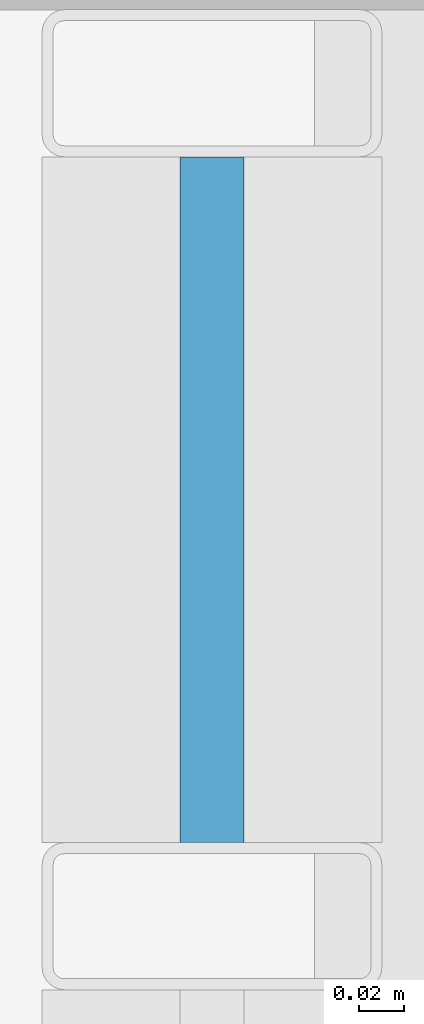
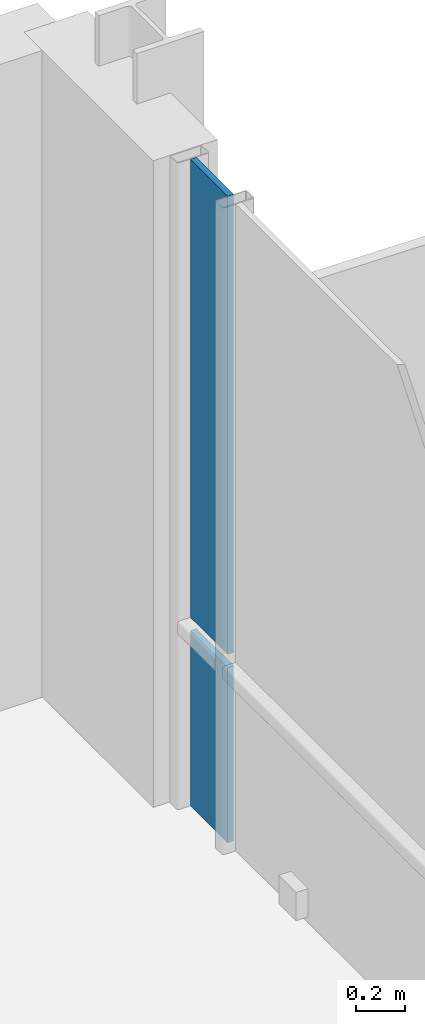
# One storey, part 7 of 12: 2 plates, 1 element without a shape of its own.
"""IFC4 building model written with IfcOpenShell, lengths in metres."""

from ifc_helpers import new_model, si_unit, direction, frame, origin, origin_2d, place, context, subcontext, project, spatial, rectangle, extrude, material, layer, layer_set, type_object, element, aggregate, save


model = new_model("IFC4")

# Units and contexts
model_context = context("Model", 3, precision=1e-05, world=origin(), true_north=direction((0.0, 1.0)))
body_context = subcontext(model_context, "Body", "Model", "MODEL_VIEW")
ifc_project = project(units=[si_unit("LENGTHUNIT", "METRE"), si_unit("AREAUNIT", "SQUARE_METRE"), si_unit("VOLUMEUNIT", "CUBIC_METRE"), si_unit("PLANEANGLEUNIT", "RADIAN"), si_unit("MASSUNIT", "GRAM", prefix="KILO")], contexts=[model_context])

# Site, building, storey
site_placement = place(None, origin())
site = spatial("IfcSite", under=ifc_project, at=site_placement, CompositionType="ELEMENT")
building_placement = place(site_placement, origin())
building = spatial("IfcBuilding", under=site, at=building_placement, Name="Brevholm Reach", CompositionType="ELEMENT")
storey_placement = place(building_placement, frame((0.0, 0.0, 236.60009765625)))
storey = spatial("IfcBuildingStorey", under=building, at=storey_placement, Name="L72", CompositionType="ELEMENT", Elevation=236.60009765625)

# Curtain wall, plates
ifc_material_1 = material(Name="Dark Anodised Aluminium 6063-T6 and Solar-Control Glass", Category="aluminium")
ifc_layer_1 = layer(ifc_material_1, 0.14990234375)
ifc_layer_set_1 = layer_set([ifc_layer_1], Name="Dark Anodised Aluminium 6063-T6 and Solar-Control Glass")
curtain_wall_type = type_object("IfcCurtainWallType", Name="CW-01", PredefinedType="NOTDEFINED", material=ifc_layer_set_1)
curtain_wall_placement = place(storey_placement, origin())
curtain_wall = element("IfcCurtainWall", 1, at=curtain_wall_placement, inside=storey, type_object=curtain_wall_type, Name="L72 Curtain Wall CW-01", PredefinedType="NOTDEFINED")
ifc_material_2 = material(Name="Dark Solar-Control Double-Glazed IGU Glass", Category="glass")
ifc_layer_2 = layer(ifc_material_2, 0.028076171875)
ifc_layer_set_2 = layer_set([ifc_layer_2], Name="Dark Solar-Control Double-Glazed IGU Glass")
plate_type = type_object("IfcPlateType", Name="CWP-GLZ-28", PredefinedType="CURTAIN_PANEL", material=ifc_layer_set_2)
plate_1_placement = place(storey_placement, frame((59.85009765625, 22.733642578125, 0.0), z_axis=(0.0, 0.0, 1.0), x_axis=(0.0, 1.0, 0.0)))
plate_1 = element("IfcPlate", 2, at=plate_1_placement, type_object=plate_type, Name="CP-01 Glazing Panel 5.1", PredefinedType="CURTAIN_PANEL", context=body_context, shape_type="SweptSolid", body=[
    extrude(rectangle(XDim=0.302490234375, YDim=0.028076171875, at=origin_2d()), origin(), (0.0, 0.0, 1.0), 0.867431640625),
])
plate_2_placement = place(storey_placement, frame((59.85009765625, 22.733642578125, 0.932373046875), z_axis=(0.0, 0.0, 1.0), x_axis=(0.0, 1.0, 0.0)))
plate_2 = element("IfcPlate", 3, at=plate_2_placement, type_object=plate_type, Name="CP-01 Glazing Panel 5.2", PredefinedType="CURTAIN_PANEL", context=body_context, shape_type="SweptSolid", body=[
    extrude(rectangle(XDim=0.302490234375, YDim=0.028076171875, at=origin_2d()), origin(), (0.0, 0.0, 1.0), 2.267578125),
])
aggregate(curtain_wall, [plate_1, plate_2])

save(model, "model.ifc")
